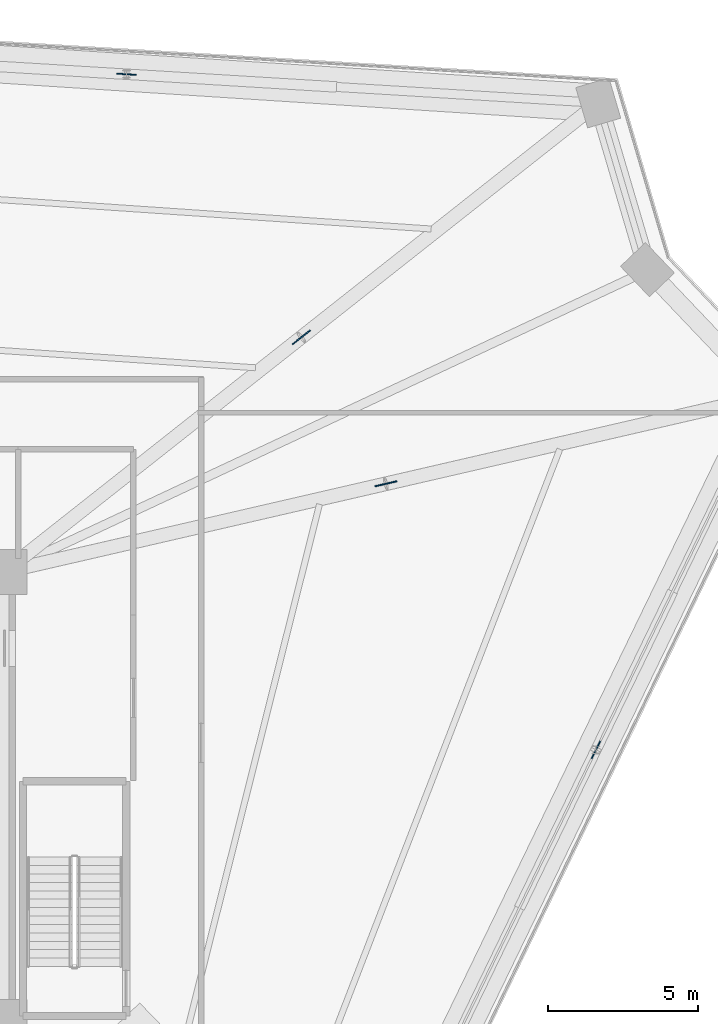
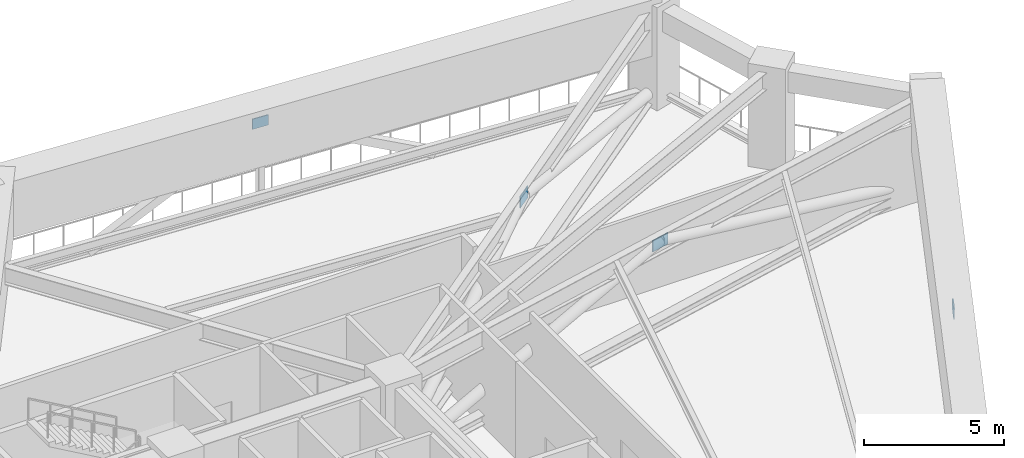
# One storey, part 15 of 27: 4 plates.
"""IFC4 building model written with IfcOpenShell, lengths in metres."""

import ifcopenshell
import ifcopenshell.guid

model = None  # the IFC model being written
_history = None  # IfcOwnerHistory: only IFC2X3 demands one
_inside = {}  # id of a spatial element -> (the spatial element, [elements in it])
_under = {}  # id of a project, library or spatial element -> (it, [spatial elements below it])
_declared = {}  # id of a project -> (the project, [libraries it declares])
_typed = {}  # id of a type object -> (the type object, [elements of that type])
_made_of = {}  # id of a material, layer set ... -> (it, [elements and type objects made of it])


def new_model(schema):
    """Start an empty IFC model of exactly this schema.

    Asked for "IFC4X3", IfcOpenShell would pick the latest addendum, in which some entities
    have other attributes; the version numbers below select the first issue.
    IFC2X3 requires an IfcOwnerHistory on every rooted entity: one is made here for all.
    """
    global model, _history
    if schema == "IFC4X3":
        model = ifcopenshell.file(schema_version=(4, 3, 0, 0))
    else:
        model = ifcopenshell.file(schema=schema)
    _inside.clear()
    _under.clear()
    _declared.clear()
    _typed.clear()
    _made_of.clear()
    _history = None
    if model.schema == "IFC2X3":
        org = make("IfcOrganization", Name="unknown")
        user = make(
            "IfcPersonAndOrganization",
            ThePerson=make("IfcPerson", FamilyName="unknown"),
            TheOrganization=org,
        )
        app = make(
            "IfcApplication",
            ApplicationDeveloper=org,
            Version="unknown",
            ApplicationFullName="unknown",
            ApplicationIdentifier="unknown",
        )
        _history = make(
            "IfcOwnerHistory",
            OwningUser=user,
            OwningApplication=app,
            ChangeAction="ADDED",
            CreationDate=0,
        )
    return model


def make(cls, **values):
    """One entity of the class cls with the attributes given. An attribute that is None is left unset."""
    return model.create_entity(
        cls, **{name: value for name, value in values.items() if value is not None}
    )


def rooted(cls, **values):
    """An entity with a GlobalId (a new one), such as an element, a storey or a relation."""
    return make(cls, GlobalId=ifcopenshell.guid.new(), OwnerHistory=_history, **values)


def si_unit(unit_type, name, prefix=None):
    """IfcSIUnit, for example si_unit("LENGTHUNIT", "METRE", prefix="MILLI")."""
    return make("IfcSIUnit", UnitType=unit_type, Prefix=prefix, Name=name)


def assignment(units):
    """IfcUnitAssignment: the units of a project."""
    return None if units is None else make("IfcUnitAssignment", Units=units)


def point(xyz):
    """IfcCartesianPoint."""
    return None if xyz is None else make("IfcCartesianPoint", Coordinates=xyz)


def direction(xyz):
    """IfcDirection."""
    return None if xyz is None else make("IfcDirection", DirectionRatios=xyz)


def frame(location, z_axis=None, x_axis=None):
    """IfcAxis2Placement3D, a coordinate frame: its origin and axes. An axis left out is left unset."""
    return make(
        "IfcAxis2Placement3D",
        Location=point(location),
        Axis=direction(z_axis),
        RefDirection=direction(x_axis),
    )


def frame_2d(location, x_axis=None):
    """IfcAxis2Placement2D, a coordinate frame in the plane: its origin and x axis."""
    return make(
        "IfcAxis2Placement2D", Location=point(location), RefDirection=direction(x_axis)
    )


def origin():
    """The frame at (0, 0, 0) with its axes left unset."""
    return frame((0.0, 0.0, 0.0))


def origin_2d():
    """The frame at (0, 0) in the plane with its x axis left unset."""
    return frame_2d((0.0, 0.0))


def place(relative_to, where):
    """IfcLocalPlacement: puts the frame where relative to a parent placement (None: the world)."""
    return make(
        "IfcLocalPlacement", PlacementRelTo=relative_to, RelativePlacement=where
    )


def context(
    kind, dimensions, precision=None, world=None, true_north=None, identifier=None
):
    """IfcGeometricRepresentationContext, for example the 3D "Model" context."""
    return make(
        "IfcGeometricRepresentationContext",
        ContextIdentifier=identifier,
        ContextType=kind,
        CoordinateSpaceDimension=dimensions,
        Precision=precision,
        WorldCoordinateSystem=world,
        TrueNorth=true_north,
    )


def subcontext(parent, identifier, kind, view, scale=None):
    """IfcGeometricRepresentationSubContext, for example "Body" below "Model"."""
    return make(
        "IfcGeometricRepresentationSubContext",
        ContextIdentifier=identifier,
        ContextType=kind,
        ParentContext=parent,
        TargetScale=scale,
        TargetView=view,
    )


def project(units=None, contexts=None):
    """IfcProject with its units and contexts."""
    return rooted(
        "IfcProject",
        Name="project",
        RepresentationContexts=contexts,
        UnitsInContext=assignment(units),
    )


def spatial(cls, under=None, at=None, **own):
    """A site, building, storey or space (cls), placed at a placement, below another one or the project."""
    s = rooted(cls, ObjectPlacement=at, **own)
    if under is not None:
        _under.setdefault(under.id(), (under, []))[1].append(s)
    return s


def profile(cls, at=None, kind="AREA", **sizes):
    """A parametric profile (cls). Its sizes go by their IFC names, for example OverallWidth=200.0."""
    return make(cls, ProfileType=kind, Position=at, **sizes)


def rectangle(**sizes):
    """IfcRectangleProfileDef."""
    return profile("IfcRectangleProfileDef", **sizes)


def extrude(swept, where, along, depth):
    """IfcExtrudedAreaSolid: the profile swept, set in the frame where, extruded along a direction by depth."""
    return make(
        "IfcExtrudedAreaSolid",
        SweptArea=swept,
        Position=where,
        ExtrudedDirection=direction(along),
        Depth=depth,
    )


def shape(context_of_items, identifier, shape_type, items):
    """IfcShapeRepresentation: the items that make up one representation, for example the "Body"."""
    return make(
        "IfcShapeRepresentation",
        ContextOfItems=context_of_items,
        RepresentationIdentifier=identifier,
        RepresentationType=shape_type,
        Items=items,
    )


def source(mapping_origin, context_of_items, identifier, shape_type, items):
    """IfcRepresentationMap: a shape defined once, which mapped items show again and again."""
    return make(
        "IfcRepresentationMap",
        MappingOrigin=mapping_origin,
        MappedRepresentation=shape(context_of_items, identifier, shape_type, items),
    )


def transform(
    local_origin,
    x_axis=None,
    y_axis=None,
    z_axis=None,
    scale=None,
    scale2=None,
    scale3=None,
    uniform=True,
):
    """IfcCartesianTransformationOperator3D, or its non-uniform kind. x_axis, y_axis, z_axis: its Axis1, 2, 3."""
    if uniform:
        return make(
            "IfcCartesianTransformationOperator3D",
            Axis1=direction(x_axis),
            Axis2=direction(y_axis),
            LocalOrigin=point(local_origin),
            Scale=scale,
            Axis3=direction(z_axis),
        )
    return make(
        "IfcCartesianTransformationOperator3DnonUniform",
        Axis1=direction(x_axis),
        Axis2=direction(y_axis),
        LocalOrigin=point(local_origin),
        Scale=scale,
        Axis3=direction(z_axis),
        Scale2=scale2,
        Scale3=scale3,
    )


def mapped(mapping_source, mapping_target):
    """IfcMappedItem: shows the shape of a source again, moved by a transform."""
    return make(
        "IfcMappedItem", MappingSource=mapping_source, MappingTarget=mapping_target
    )


def material(Name=None, Category=None):
    """IfcMaterial."""
    return make("IfcMaterial", Name=Name, Category=Category)


def layer(
    of_material, thickness, ventilated=None, Name=None, Category=None, Priority=None
):
    """IfcMaterialLayer: one layer of a wall or slab, of a material (None: an air gap)."""
    return make(
        "IfcMaterialLayer",
        Material=of_material,
        LayerThickness=thickness,
        IsVentilated=ventilated,
        Name=Name,
        Category=Category,
        Priority=Priority,
    )


def layer_set(layers, Name=None):
    """IfcMaterialLayerSet."""
    return make("IfcMaterialLayerSet", MaterialLayers=layers, LayerSetName=Name)


def made_of(thing, what):
    """Note that an element or type object is made of a material, layer set ...; save() writes the relation."""
    if what is not None:
        _made_of.setdefault(what.id(), (what, []))[1].append(thing)
    return thing


def type_object(cls, material=None, **own):
    """A type object (cls), such as IfcWallType, which elements share."""
    return made_of(rooted(cls, **own), material)


def element(
    cls,
    number,
    at=None,
    inside=None,
    cuts=None,
    type_object=None,
    material=None,
    context=None,
    identifier="Body",
    shape_type=None,
    held_by="IfcProductDefinitionShape",
    body=None,
    shapes=None,
    **own,
):
    """One element of the class cls, such as IfcWall. Its Tag is "e" and its number.

    at: its placement. inside: the storey or other place that contains it. cuts: it is an
    opening in that element (IfcRelVoidsElement). A single representation is given by context,
    identifier, shape_type and body (its items); several are given by shapes. held_by: the class
    of the entity that holds the representations. save() writes the other relations.
    """
    e = rooted(cls, Tag="e%d" % number, ObjectPlacement=at, **own)
    if body is not None:
        shapes = [shape(context, identifier, shape_type, body)]
    if shapes is not None:
        e.Representation = make(held_by, Representations=shapes)
    if inside is not None:
        _inside.setdefault(inside.id(), (inside, []))[1].append(e)
    if cuts is not None:
        rooted(
            "IfcRelVoidsElement", RelatingBuildingElement=cuts, RelatedOpeningElement=e
        )
    if type_object is not None:
        _typed.setdefault(type_object.id(), (type_object, []))[1].append(e)
    return made_of(e, material)


def aggregate(whole, parts):
    """IfcRelAggregates: a whole, such as a stair, and the parts it consists of."""
    return rooted("IfcRelAggregates", RelatingObject=whole, RelatedObjects=parts)


def save(model, path):
    """Write the relations noted so far, then the file.

    IfcRelAggregates (storeys below a building ...), IfcRelContainedInSpatialStructure (elements
    in a storey), IfcRelDefinesByType, IfcRelAssociatesMaterial and IfcRelDeclares: one each for
    every whole, place, type object, material and project.
    """
    for whole, parts in _under.values():
        aggregate(whole, parts)
    for where, things in _inside.values():
        rooted(
            "IfcRelContainedInSpatialStructure",
            RelatedElements=things,
            RelatingStructure=where,
        )
    for kind, things in _typed.values():
        rooted("IfcRelDefinesByType", RelatedObjects=things, RelatingType=kind)
    for what, things in _made_of.values():
        rooted("IfcRelAssociatesMaterial", RelatedObjects=things, RelatingMaterial=what)
    for by, libraries in _declared.values():
        rooted("IfcRelDeclares", RelatingContext=by, RelatedDefinitions=libraries)
    model.write(path)


model = new_model("IFC4")

# Units and contexts
model_context = context("Model", 3, precision=1e-05, world=origin(), true_north=direction((0.0, 1.0)))
body_context = subcontext(model_context, "Body", "Model", "MODEL_VIEW")
ifc_project = project(units=[si_unit("LENGTHUNIT", "METRE"), si_unit("AREAUNIT", "SQUARE_METRE"), si_unit("VOLUMEUNIT", "CUBIC_METRE"), si_unit("PLANEANGLEUNIT", "RADIAN"), si_unit("MASSUNIT", "GRAM", prefix="KILO")], contexts=[model_context])

# Site, building, storey
site_placement = place(None, origin())
site = spatial("IfcSite", under=ifc_project, at=site_placement, CompositionType="ELEMENT")
building_placement = place(site_placement, origin())
building = spatial("IfcBuilding", under=site, at=building_placement, Name="Liaohun Quay Tower", CompositionType="ELEMENT")
storey_placement = place(building_placement, frame((0.0, 0.0, 185.25)))
storey = spatial("IfcBuildingStorey", under=building, at=storey_placement, Name="L48", CompositionType="ELEMENT", Elevation=185.25)

# Plates
ifc_material = material(Name="Steel Q420D outrigger node gusset plate", Category="steel")
ifc_layer = layer(ifc_material, 0.0400390625, Name="Steel Q420D outrigger node gusset plate", Category="steel")
ifc_layer_set = layer_set([ifc_layer], Name="Steel Q420D outrigger node gusset plate")
plate_type = type_object("IfcPlateType", Name="PLT-GUS-OUT", PredefinedType="USERDEFINED", material=ifc_layer_set)
shared_shape_1 = source(origin(), body_context, "Body", "SweptSolid", [
    extrude(rectangle(XDim=0.75, YDim=0.0400390625, at=origin_2d()), origin(), (0.0, 0.0, 1.0), 0.5),
])
for number, where, z_axis, x_axis, name in (
    (1, (78.89404296875, 69.31201171875, 3.570068359375), (0.0, 0.0, 1.0), (0.784884530427, 0.61964205304, 0.0), "L48 Outrigger Node Gusset Plate GP1-04"),
    (2, (81.712890625, 64.43310546875, 3.570068359375), (0.0, 0.0, 1.0), (0.97440931131, 0.224780991261, 0.0), "L48 Outrigger Node Gusset Plate GP1-05"),
):
    element("IfcPlate", number, at=place(storey_placement, frame(where, z_axis=z_axis, x_axis=x_axis)), inside=storey, type_object=plate_type, Name=name, ObjectType="GUSSET PLATE", PredefinedType="USERDEFINED", context=body_context, shape_type="MappedRepresentation", body=[
        mapped(shared_shape_1, transform((0.0, 0.0, 0.0), x_axis=(1.0, 0.0, 0.0), y_axis=(0.0, 1.0, 0.0), z_axis=(0.0, 0.0, 1.0), scale=1.0)),
    ])
shared_shape_2 = source(origin(), body_context, "Body", "SweptSolid", [
    extrude(rectangle(XDim=0.64990234375, YDim=0.035888671875, at=origin_2d()), origin(), (0.0, 0.0, 1.0), 0.449951171875),
])
for number, where, z_axis, x_axis, name in (
    (3, (73.072021484375, 78.077880859375, 3.59521484375), (0.0, 0.0, 1.0), (0.998156047572, -0.06070012105, 0.0), "L48 Belt Truss Node Gusset Plate GP1-B04"),
    (4, (88.712890625, 55.569091796875, 3.59521484375), (0.0, 0.0, 1.0), (-0.435859534333, -0.900014703397, 0.0), "L48 Belt Truss Node Gusset Plate GP1-B05"),
):
    element("IfcPlate", number, at=place(storey_placement, frame(where, z_axis=z_axis, x_axis=x_axis)), inside=storey, type_object=plate_type, Name=name, ObjectType="GUSSET PLATE", PredefinedType="USERDEFINED", context=body_context, shape_type="MappedRepresentation", body=[
        mapped(shared_shape_2, transform((0.0, 0.0, 0.0), x_axis=(1.0, 0.0, 0.0), y_axis=(0.0, 1.0, 0.0), z_axis=(0.0, 0.0, 1.0), scale=1.0)),
    ])

save(model, "model.ifc")
